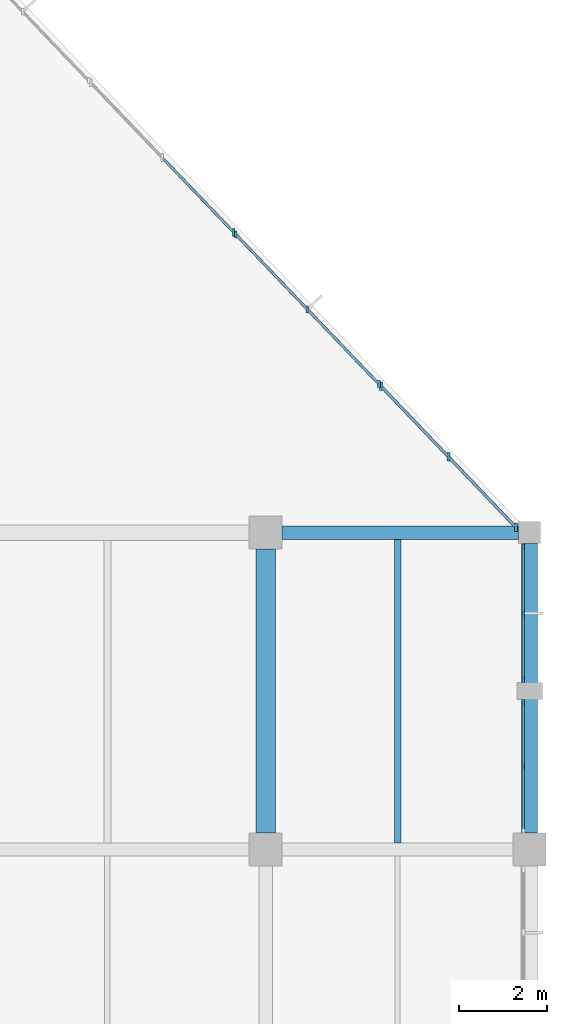
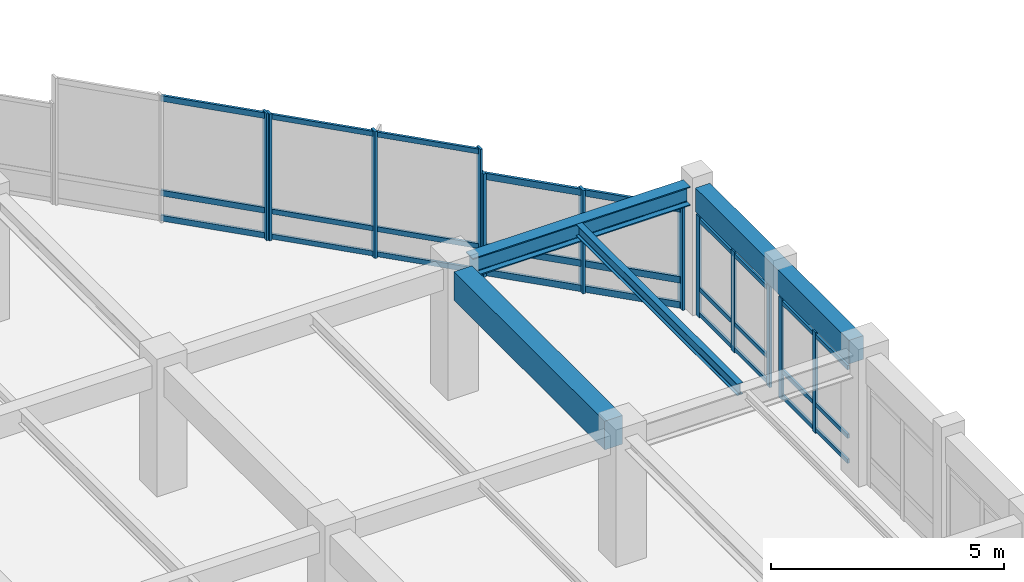
# One storey, part 39 of 74: 39 members, 4 beams, 5 elements without a shape of their own.
"""IFC4 building model written with IfcOpenShell, lengths in metres."""

from ifc_helpers import new_model, si_unit, direction, frame, origin, origin_2d, place, context, subcontext, project, spatial, rectangle, i_section, extrude, material, material_profile, profile_set, type_object, element, aggregate, save


model = new_model("IFC4")

# Units and contexts
model_context = context("Model", 3, precision=1e-05, world=origin(), true_north=direction((0.0, 1.0)))
body_context = subcontext(model_context, "Body", "Model", "MODEL_VIEW")
ifc_project = project(units=[si_unit("LENGTHUNIT", "METRE"), si_unit("AREAUNIT", "SQUARE_METRE"), si_unit("VOLUMEUNIT", "CUBIC_METRE"), si_unit("PLANEANGLEUNIT", "RADIAN"), si_unit("MASSUNIT", "GRAM", prefix="KILO")], contexts=[model_context])

# Site, building, storey
site_placement = place(None, origin())
site = spatial("IfcSite", under=ifc_project, at=site_placement, CompositionType="ELEMENT")
building_placement = place(site_placement, origin())
building = spatial("IfcBuilding", under=site, at=building_placement, Name="Clarverna Civic Hall", CompositionType="ELEMENT")
storey_placement = place(building_placement, frame((0.0, 0.0, 13.199951171875)))
storey = spatial("IfcBuildingStorey", under=building, at=storey_placement, Name="L03", CompositionType="ELEMENT", Elevation=13.199951171875)

# Beams
ifc_material_1 = material(Name="Concrete C35/45", Category="concrete")
ifc_material_profile_1 = material_profile(ifc_material_1, rectangle(XDim=0.449951171875, YDim=0.75, at=origin_2d()), Name="RC 450x750")
ifc_profile_set_1 = profile_set([ifc_material_profile_1], Name="Concrete C35/45")
beam_type_1 = type_object("IfcBeamType", Name="B-RC3", PredefinedType="BEAM", material=ifc_profile_set_1)
beam_1_placement = place(storey_placement, frame((162.0, 95.375, 2.945068359375), z_axis=(0.0, 1.0, 0.0), x_axis=(-1.0, 0.0, 0.0)))
element("IfcBeam", 1, at=beam_1_placement, inside=storey, type_object=beam_type_1, Name="B-RC3-037", PredefinedType="BEAM", context=body_context, shape_type="SweptSolid", body=[
    extrude(rectangle(XDim=0.449951171875, YDim=0.75, at=origin_2d()), origin(), (0.0, 0.0, 1.0), 6.449951171875),
])
ifc_material_profile_2 = material_profile(ifc_material_1, rectangle(XDim=0.360107421875, YDim=0.6201171875, at=origin_2d()), Name="RC 360x620")
ifc_profile_set_2 = profile_set([ifc_material_profile_2], Name="Concrete C35/45")
beam_type_2 = type_object("IfcBeamType", Name="B-SP3", PredefinedType="SPANDREL", material=ifc_profile_set_2)
beam_2_placement = place(storey_placement, frame((168.0, 95.375, 3.010009765625), z_axis=(0.0, 1.0, 0.0), x_axis=(-1.0, 0.0, 0.0)))
element("IfcBeam", 2, at=beam_2_placement, inside=storey, type_object=beam_type_2, Name="B-SP3-130", PredefinedType="SPANDREL", context=body_context, shape_type="SweptSolid", body=[
    extrude(rectangle(XDim=0.360107421875, YDim=0.6201171875, at=origin_2d()), origin(), (0.0, 0.0, 1.0), 6.574951171875),
])
ifc_material_2 = material(Name="Steel S355", Category="steel")
ifc_material_profile_3 = material_profile(ifc_material_2, i_section(OverallWidth=0.300048828125, OverallDepth=0.5, WebThickness=0.014404296875, FlangeThickness=0.028076171875, FilletRadius=0.027099609375, at=origin_2d()), Name="HEB 500")
ifc_profile_set_3 = profile_set([ifc_material_profile_3], Name="Steel S355")
beam_type_3 = type_object("IfcBeamType", Name="B-ST2", PredefinedType="BEAM", material=ifc_profile_set_3)
beam_3_placement = place(storey_placement, frame((162.375, 102.199951171875, 3.070068359375), z_axis=(1.0, 0.0, 0.0), x_axis=(0.0, 1.0, 0.0)))
element("IfcBeam", 3, at=beam_3_placement, inside=storey, type_object=beam_type_3, Name="B-ST2-014", PredefinedType="BEAM", context=body_context, shape_type="SweptSolid", body=[
    extrude(i_section(OverallWidth=0.300048828125, OverallDepth=0.5, WebThickness=0.014404296875, FlangeThickness=0.028076171875, FilletRadius=0.027099609375, at=origin_2d()), origin(), (0.0, 0.0, 1.0), 5.375),
])

# Curtain wall, member
ifc_material_3 = material(Name="Anodised Bronze Architectural Aluminium", Category="aluminium")
curtain_wall_type = type_object("IfcCurtainWallType", Name="CW-01", PredefinedType="USERDEFINED", material=ifc_material_3)
curtain_wall_1_placement = place(storey_placement, origin())
curtain_wall_1 = element("IfcCurtainWall", 4, at=curtain_wall_1_placement, inside=storey, type_object=curtain_wall_type, Name="CW-01-065", ObjectType="UNITISED CURTAIN WALL", PredefinedType="USERDEFINED")
ifc_material_profile_4 = material_profile(ifc_material_3, rectangle(XDim=0.06005859375, YDim=0.179931640625, at=origin_2d()), Name="BRONZE 60x180")
ifc_profile_set_4 = profile_set([ifc_material_profile_4], Name="Anodised Bronze Architectural Aluminium")
member_type_1 = type_object("IfcMemberType", Name="CWM-01", PredefinedType="MULLION", material=ifc_profile_set_4)
member_1_placement = place(storey_placement, frame((161.27587890625, 109.027099609375, 0.0), z_axis=(0.0, 0.0, 1.0), x_axis=(1.0, 0.0, 0.0)))
member_1 = element("IfcMember", 5, at=member_1_placement, type_object=member_type_1, Name="CWM-01-127", PredefinedType="MULLION", context=body_context, shape_type="SweptSolid", body=[
    extrude(rectangle(XDim=0.06005859375, YDim=0.179931640625, at=origin_2d()), origin(), (0.0, 0.0, 1.0), 3.320068359375),
])

# Curtain wall, members
curtain_wall_2_placement = place(storey_placement, origin())
curtain_wall_2 = element("IfcCurtainWall", 6, at=curtain_wall_2_placement, inside=storey, type_object=curtain_wall_type, Name="CW-01-066", ObjectType="UNITISED CURTAIN WALL", PredefinedType="USERDEFINED")
ifc_material_profile_5 = material_profile(ifc_material_3, rectangle(XDim=0.06005859375, YDim=0.159912109375, at=origin_2d()), Name="BRONZE 60x160")
ifc_profile_set_5 = profile_set([ifc_material_profile_5], Name="Anodised Bronze Architectural Aluminium")
member_type_2 = type_object("IfcMemberType", Name="CWM-02", PredefinedType="MULLION", material=ifc_profile_set_5)
member_2_placement = place(storey_placement, frame((161.321533203125, 108.9794921875, 0.0), z_axis=(0.0, 0.0, 1.0), x_axis=(1.0, 0.0, 0.0)))
member_2 = element("IfcMember", 7, at=member_2_placement, type_object=member_type_2, Name="CWM-02-153", PredefinedType="MULLION", context=body_context, shape_type="SweptSolid", body=[
    extrude(rectangle(XDim=0.06005859375, YDim=0.159912109375, at=origin_2d()), origin(), (0.0, 0.0, 1.0), 3.320068359375),
])
member_3_placement = place(storey_placement, frame((162.94873046875, 107.2783203125, 0.0), z_axis=(0.0, 0.0, 1.0), x_axis=(1.0, 0.0, 0.0)))
member_3 = element("IfcMember", 8, at=member_3_placement, type_object=member_type_2, Name="CWM-02-154", PredefinedType="MULLION", context=body_context, shape_type="SweptSolid", body=[
    extrude(rectangle(XDim=0.06005859375, YDim=0.159912109375, at=origin_2d()), origin(), (0.0, 0.0, 1.0), 3.320068359375),
])
member_4_placement = place(storey_placement, frame((164.575927734375, 105.576904296875, 0.0), z_axis=(0.0, 0.0, 1.0), x_axis=(1.0, 0.0, 0.0)))
member_4 = element("IfcMember", 9, at=member_4_placement, type_object=member_type_2, Name="CWM-02-155", PredefinedType="MULLION", context=body_context, shape_type="SweptSolid", body=[
    extrude(rectangle(XDim=0.06005859375, YDim=0.159912109375, at=origin_2d()), origin(), (0.0, 0.0, 1.0), 3.320068359375),
])

curtain_wall_3_placement = place(storey_placement, origin())
curtain_wall_3 = element("IfcCurtainWall", 10, at=curtain_wall_3_placement, inside=storey, type_object=curtain_wall_type, Name="CW-01-067", ObjectType="UNITISED CURTAIN WALL", PredefinedType="USERDEFINED")
ifc_material_profile_6 = material_profile(ifc_material_3, rectangle(XDim=0.06494140625, YDim=0.199951171875, at=origin_2d()), Name="BRONZE 65x200")
ifc_profile_set_6 = profile_set([ifc_material_profile_6], Name="Anodised Bronze Architectural Aluminium")
member_type_3 = type_object("IfcMemberType", Name="CWM-03", PredefinedType="MULLION", material=ifc_profile_set_6)
member_5_placement = place(storey_placement, frame((164.62158203125, 105.529296875, 0.0), z_axis=(0.0, 0.0, 1.0), x_axis=(1.0, 0.0, 0.0)))
member_5 = element("IfcMember", 11, at=member_5_placement, type_object=member_type_3, Name="CWM-03-128", PredefinedType="MULLION", context=body_context, shape_type="SweptSolid", body=[
    extrude(rectangle(XDim=0.06494140625, YDim=0.199951171875, at=origin_2d()), origin(), (0.0, 0.0, 1.0), 2.699951171875),
])
member_6_placement = place(storey_placement, frame((166.154296875, 103.927001953125, 0.0), z_axis=(0.0, 0.0, 1.0), x_axis=(1.0, 0.0, 0.0)))
member_6 = element("IfcMember", 12, at=member_6_placement, type_object=member_type_3, Name="CWM-03-129", PredefinedType="MULLION", context=body_context, shape_type="SweptSolid", body=[
    extrude(rectangle(XDim=0.06494140625, YDim=0.199951171875, at=origin_2d()), origin(), (0.0, 0.0, 1.0), 2.699951171875),
])
member_7_placement = place(storey_placement, frame((167.687255859375, 102.324462890625, 0.0), z_axis=(0.0, 0.0, 1.0), x_axis=(1.0, 0.0, 0.0)))
member_7 = element("IfcMember", 13, at=member_7_placement, type_object=member_type_3, Name="CWM-03-130", PredefinedType="MULLION", context=body_context, shape_type="SweptSolid", body=[
    extrude(rectangle(XDim=0.06494140625, YDim=0.199951171875, at=origin_2d()), origin(), (0.0, 0.0, 1.0), 2.699951171875),
])

curtain_wall_4_placement = place(storey_placement, origin())
curtain_wall_4 = element("IfcCurtainWall", 14, at=curtain_wall_4_placement, inside=storey, type_object=curtain_wall_type, Name="CW-01-068", ObjectType="UNITISED CURTAIN WALL", PredefinedType="USERDEFINED")
ifc_material_profile_7 = material_profile(ifc_material_3, rectangle(XDim=0.054931640625, YDim=0.139892578125, at=origin_2d()), Name="BRONZE 55x140")
ifc_profile_set_7 = profile_set([ifc_material_profile_7], Name="Anodised Bronze Architectural Aluminium")
member_type_4 = type_object("IfcMemberType", Name="CWM-04", PredefinedType="MULLION", material=ifc_profile_set_7)
member_8_placement = place(storey_placement, frame((167.860107421875, 101.876953125, 0.0), z_axis=(0.0, 0.0, 1.0), x_axis=(1.0, 0.0, 0.0)))
member_8 = element("IfcMember", 15, at=member_8_placement, type_object=member_type_4, Name="CWM-04-156", PredefinedType="MULLION", context=body_context, shape_type="SweptSolid", body=[
    extrude(rectangle(XDim=0.054931640625, YDim=0.139892578125, at=origin_2d()), origin(), (0.0, 0.0, 1.0), 2.64013671875),
])
member_9_placement = place(storey_placement, frame((167.860107421875, 100.3701171875, 0.0), z_axis=(0.0, 0.0, 1.0), x_axis=(1.0, 0.0, 0.0)))
member_9 = element("IfcMember", 16, at=member_9_placement, type_object=member_type_4, Name="CWM-04-157", PredefinedType="MULLION", context=body_context, shape_type="SweptSolid", body=[
    extrude(rectangle(XDim=0.054931640625, YDim=0.139892578125, at=origin_2d()), origin(), (0.0, 0.0, 1.0), 2.64013671875),
])
member_10_placement = place(storey_placement, frame((167.860107421875, 98.863037109375, 0.0), z_axis=(0.0, 0.0, 1.0), x_axis=(1.0, 0.0, 0.0)))
member_10 = element("IfcMember", 17, at=member_10_placement, type_object=member_type_4, Name="CWM-04-158", PredefinedType="MULLION", context=body_context, shape_type="SweptSolid", body=[
    extrude(rectangle(XDim=0.054931640625, YDim=0.139892578125, at=origin_2d()), origin(), (0.0, 0.0, 1.0), 2.64013671875),
])

curtain_wall_5_placement = place(storey_placement, origin())
curtain_wall_5 = element("IfcCurtainWall", 18, at=curtain_wall_5_placement, inside=storey, type_object=curtain_wall_type, Name="CW-01-069", ObjectType="UNITISED CURTAIN WALL", PredefinedType="USERDEFINED")
member_11_placement = place(storey_placement, frame((167.860107421875, 98.3369140625, 0.0), z_axis=(0.0, 0.0, 1.0), x_axis=(1.0, 0.0, 0.0)))
member_11 = element("IfcMember", 19, at=member_11_placement, type_object=member_type_4, Name="CWM-04-159", PredefinedType="MULLION", context=body_context, shape_type="SweptSolid", body=[
    extrude(rectangle(XDim=0.054931640625, YDim=0.139892578125, at=origin_2d()), origin(), (0.0, 0.0, 1.0), 2.64013671875),
])
member_12_placement = place(storey_placement, frame((167.860107421875, 96.892578125, 0.0), z_axis=(0.0, 0.0, 1.0), x_axis=(1.0, 0.0, 0.0)))
member_12 = element("IfcMember", 20, at=member_12_placement, type_object=member_type_4, Name="CWM-04-160", PredefinedType="MULLION", context=body_context, shape_type="SweptSolid", body=[
    extrude(rectangle(XDim=0.054931640625, YDim=0.139892578125, at=origin_2d()), origin(), (0.0, 0.0, 1.0), 2.64013671875),
])

# Member
ifc_material_profile_8 = material_profile(ifc_material_3, rectangle(XDim=0.06005859375, YDim=0.14990234375, at=origin_2d()), Name="BRONZE 60x150")
ifc_profile_set_8 = profile_set([ifc_material_profile_8], Name="Anodised Bronze Architectural Aluminium")
member_type_5 = type_object("IfcMemberType", Name="CWT-01", PredefinedType="USERDEFINED", material=ifc_profile_set_8)
member_13_placement = place(storey_placement, frame((159.6591796875, 110.71728515625, 0.094970703125), z_axis=(0.691227416228, -0.72263729426, 0.0), x_axis=(0.72263729426, 0.691227416228, 0.0)))
member_13 = element("IfcMember", 21, at=member_13_placement, type_object=member_type_5, Name="CWT-01-268", ObjectType="TRANSOM", PredefinedType="USERDEFINED", context=body_context, shape_type="SweptSolid", body=[
    extrude(rectangle(XDim=0.06005859375, YDim=0.14990234375, at=origin_2d()), origin(), (0.0, 0.0, 1.0), 2.323974609375),
])

member_14_placement = place(storey_placement, frame((159.6591796875, 110.71728515625, 0.75), z_axis=(0.691227416228, -0.72263729426, 0.0), x_axis=(0.72263729426, 0.691227416228, 0.0)))
member_14 = element("IfcMember", 22, at=member_14_placement, type_object=member_type_5, Name="CWT-01-269", ObjectType="TRANSOM", PredefinedType="USERDEFINED", context=body_context, shape_type="SweptSolid", body=[
    extrude(rectangle(XDim=0.06005859375, YDim=0.14990234375, at=origin_2d()), origin(), (0.0, 0.0, 1.0), 2.323974609375),
])

member_15_placement = place(storey_placement, frame((159.6591796875, 110.71728515625, 3.22509765625), z_axis=(0.691227416228, -0.72263729426, 0.0), x_axis=(0.72263729426, 0.691227416228, 0.0)))
member_15 = element("IfcMember", 23, at=member_15_placement, type_object=member_type_5, Name="CWT-01-270", ObjectType="TRANSOM", PredefinedType="USERDEFINED", context=body_context, shape_type="SweptSolid", body=[
    extrude(rectangle(XDim=0.06005859375, YDim=0.14990234375, at=origin_2d()), origin(), (0.0, 0.0, 1.0), 2.323974609375),
])

aggregate(curtain_wall_1, [member_1, member_13, member_14, member_15])

ifc_material_profile_9 = material_profile(ifc_material_3, rectangle(XDim=0.06005859375, YDim=0.1298828125, at=origin_2d()), Name="BRONZE 60x130")
ifc_profile_set_9 = profile_set([ifc_material_profile_9], Name="Anodised Bronze Architectural Aluminium")
member_type_6 = type_object("IfcMemberType", Name="CWT-02", PredefinedType="USERDEFINED", material=ifc_profile_set_9)
member_16_placement = place(storey_placement, frame((161.33203125, 108.968505859375, 0.094970703125), z_axis=(0.691227416228, -0.72263729426, 0.0), x_axis=(0.72263729426, 0.691227416228, 0.0)))
member_16 = element("IfcMember", 24, at=member_16_placement, type_object=member_type_6, Name="CWT-02-322", ObjectType="TRANSOM", PredefinedType="USERDEFINED", context=body_context, shape_type="SweptSolid", body=[
    extrude(rectangle(XDim=0.06005859375, YDim=0.1298828125, at=origin_2d()), origin(), (0.0, 0.0, 1.0), 2.323974609375),
])

member_17_placement = place(storey_placement, frame((161.33203125, 108.968505859375, 0.75), z_axis=(0.691227416228, -0.72263729426, 0.0), x_axis=(0.72263729426, 0.691227416228, 0.0)))
member_17 = element("IfcMember", 25, at=member_17_placement, type_object=member_type_6, Name="CWT-02-323", ObjectType="TRANSOM", PredefinedType="USERDEFINED", context=body_context, shape_type="SweptSolid", body=[
    extrude(rectangle(XDim=0.06005859375, YDim=0.1298828125, at=origin_2d()), origin(), (0.0, 0.0, 1.0), 2.323974609375),
])

member_18_placement = place(storey_placement, frame((161.33203125, 108.968505859375, 3.22509765625), z_axis=(0.691227416228, -0.72263729426, 0.0), x_axis=(0.72263729426, 0.691227416228, 0.0)))
member_18 = element("IfcMember", 26, at=member_18_placement, type_object=member_type_6, Name="CWT-02-324", ObjectType="TRANSOM", PredefinedType="USERDEFINED", context=body_context, shape_type="SweptSolid", body=[
    extrude(rectangle(XDim=0.06005859375, YDim=0.1298828125, at=origin_2d()), origin(), (0.0, 0.0, 1.0), 2.323974609375),
])

member_19_placement = place(storey_placement, frame((162.959228515625, 107.267333984375, 0.094970703125), z_axis=(0.691227416228, -0.72263729426, 0.0), x_axis=(0.72263729426, 0.691227416228, 0.0)))
member_19 = element("IfcMember", 27, at=member_19_placement, type_object=member_type_6, Name="CWT-02-325", ObjectType="TRANSOM", PredefinedType="USERDEFINED", context=body_context, shape_type="SweptSolid", body=[
    extrude(rectangle(XDim=0.06005859375, YDim=0.1298828125, at=origin_2d()), origin(), (0.0, 0.0, 1.0), 2.323974609375),
])

member_20_placement = place(storey_placement, frame((162.959228515625, 107.267333984375, 0.75), z_axis=(0.691227416228, -0.72263729426, 0.0), x_axis=(0.72263729426, 0.691227416228, 0.0)))
member_20 = element("IfcMember", 28, at=member_20_placement, type_object=member_type_6, Name="CWT-02-326", ObjectType="TRANSOM", PredefinedType="USERDEFINED", context=body_context, shape_type="SweptSolid", body=[
    extrude(rectangle(XDim=0.06005859375, YDim=0.1298828125, at=origin_2d()), origin(), (0.0, 0.0, 1.0), 2.323974609375),
])

member_21_placement = place(storey_placement, frame((162.959228515625, 107.267333984375, 3.22509765625), z_axis=(0.691227416228, -0.72263729426, 0.0), x_axis=(0.72263729426, 0.691227416228, 0.0)))
member_21 = element("IfcMember", 29, at=member_21_placement, type_object=member_type_6, Name="CWT-02-327", ObjectType="TRANSOM", PredefinedType="USERDEFINED", context=body_context, shape_type="SweptSolid", body=[
    extrude(rectangle(XDim=0.06005859375, YDim=0.1298828125, at=origin_2d()), origin(), (0.0, 0.0, 1.0), 2.323974609375),
])

aggregate(curtain_wall_2, [member_2, member_3, member_4, member_16, member_17, member_18, member_19, member_20, member_21])

ifc_material_profile_10 = material_profile(ifc_material_3, rectangle(XDim=0.06494140625, YDim=0.169921875, at=origin_2d()), Name="BRONZE 65x170")
ifc_profile_set_10 = profile_set([ifc_material_profile_10], Name="Anodised Bronze Architectural Aluminium")
member_type_7 = type_object("IfcMemberType", Name="CWT-03", PredefinedType="USERDEFINED", material=ifc_profile_set_10)
member_22_placement = place(storey_placement, frame((164.632080078125, 105.5185546875, 0.094970703125), z_axis=(0.691194770738, -0.722668519381, 0.0), x_axis=(0.722668519381, 0.691194770738, 0.0)))
member_22 = element("IfcMember", 30, at=member_22_placement, type_object=member_type_7, Name="CWT-03-271", ObjectType="TRANSOM", PredefinedType="USERDEFINED", context=body_context, shape_type="SweptSolid", body=[
    extrude(rectangle(XDim=0.06494140625, YDim=0.169921875, at=origin_2d()), origin(), (0.0, 0.0, 1.0), 2.1875),
])

member_23_placement = place(storey_placement, frame((164.632080078125, 105.5185546875, 0.75), z_axis=(0.691194770738, -0.722668519381, 0.0), x_axis=(0.722668519381, 0.691194770738, 0.0)))
member_23 = element("IfcMember", 31, at=member_23_placement, type_object=member_type_7, Name="CWT-03-272", ObjectType="TRANSOM", PredefinedType="USERDEFINED", context=body_context, shape_type="SweptSolid", body=[
    extrude(rectangle(XDim=0.06494140625, YDim=0.169921875, at=origin_2d()), origin(), (0.0, 0.0, 1.0), 2.1875),
])

member_24_placement = place(storey_placement, frame((164.632080078125, 105.5185546875, 2.60498046875), z_axis=(0.691194770738, -0.722668519381, 0.0), x_axis=(0.722668519381, 0.691194770738, 0.0)))
member_24 = element("IfcMember", 32, at=member_24_placement, type_object=member_type_7, Name="CWT-03-273", ObjectType="TRANSOM", PredefinedType="USERDEFINED", context=body_context, shape_type="SweptSolid", body=[
    extrude(rectangle(XDim=0.06494140625, YDim=0.169921875, at=origin_2d()), origin(), (0.0, 0.0, 1.0), 2.1875),
])

member_25_placement = place(storey_placement, frame((166.164794921875, 103.916015625, 0.094970703125), z_axis=(0.691194770738, -0.722668519381, 0.0), x_axis=(0.722668519381, 0.691194770738, 0.0)))
member_25 = element("IfcMember", 33, at=member_25_placement, type_object=member_type_7, Name="CWT-03-274", ObjectType="TRANSOM", PredefinedType="USERDEFINED", context=body_context, shape_type="SweptSolid", body=[
    extrude(rectangle(XDim=0.06494140625, YDim=0.169921875, at=origin_2d()), origin(), (0.0, 0.0, 1.0), 2.1875),
])

member_26_placement = place(storey_placement, frame((166.164794921875, 103.916015625, 0.75), z_axis=(0.691194770738, -0.722668519381, 0.0), x_axis=(0.722668519381, 0.691194770738, 0.0)))
member_26 = element("IfcMember", 34, at=member_26_placement, type_object=member_type_7, Name="CWT-03-275", ObjectType="TRANSOM", PredefinedType="USERDEFINED", context=body_context, shape_type="SweptSolid", body=[
    extrude(rectangle(XDim=0.06494140625, YDim=0.169921875, at=origin_2d()), origin(), (0.0, 0.0, 1.0), 2.1875),
])

member_27_placement = place(storey_placement, frame((166.164794921875, 103.916015625, 2.60498046875), z_axis=(0.691194770738, -0.722668519381, 0.0), x_axis=(0.722668519381, 0.691194770738, 0.0)))
member_27 = element("IfcMember", 35, at=member_27_placement, type_object=member_type_7, Name="CWT-03-276", ObjectType="TRANSOM", PredefinedType="USERDEFINED", context=body_context, shape_type="SweptSolid", body=[
    extrude(rectangle(XDim=0.06494140625, YDim=0.169921875, at=origin_2d()), origin(), (0.0, 0.0, 1.0), 2.1875),
])

aggregate(curtain_wall_3, [member_5, member_6, member_7, member_22, member_23, member_24, member_25, member_26, member_27])

ifc_material_profile_11 = material_profile(ifc_material_3, rectangle(XDim=0.054931640625, YDim=0.110107421875, at=origin_2d()), Name="BRONZE 55x110")
ifc_profile_set_11 = profile_set([ifc_material_profile_11], Name="Anodised Bronze Architectural Aluminium")
member_type_8 = type_object("IfcMemberType", Name="CWT-04", PredefinedType="USERDEFINED", material=ifc_profile_set_11)
member_28_placement = place(storey_placement, frame((167.860107421875, 101.862060546875, 0.094970703125), z_axis=(0.0, -1.0, 0.0), x_axis=(1.0, 0.0, 0.0)))
member_28 = element("IfcMember", 36, at=member_28_placement, type_object=member_type_8, Name="CWT-04-328", ObjectType="TRANSOM", PredefinedType="USERDEFINED", context=body_context, shape_type="SweptSolid", body=[
    extrude(rectangle(XDim=0.054931640625, YDim=0.110107421875, at=origin_2d()), origin(), (0.0, 0.0, 1.0), 1.47705078125),
])

member_29_placement = place(storey_placement, frame((167.860107421875, 101.862060546875, 0.75), z_axis=(0.0, -1.0, 0.0), x_axis=(1.0, 0.0, 0.0)))
member_29 = element("IfcMember", 37, at=member_29_placement, type_object=member_type_8, Name="CWT-04-329", ObjectType="TRANSOM", PredefinedType="USERDEFINED", context=body_context, shape_type="SweptSolid", body=[
    extrude(rectangle(XDim=0.054931640625, YDim=0.110107421875, at=origin_2d()), origin(), (0.0, 0.0, 1.0), 1.47705078125),
])

member_30_placement = place(storey_placement, frame((167.860107421875, 101.862060546875, 2.545166015625), z_axis=(0.0, -1.0, 0.0), x_axis=(1.0, 0.0, 0.0)))
member_30 = element("IfcMember", 38, at=member_30_placement, type_object=member_type_8, Name="CWT-04-330", ObjectType="TRANSOM", PredefinedType="USERDEFINED", context=body_context, shape_type="SweptSolid", body=[
    extrude(rectangle(XDim=0.054931640625, YDim=0.110107421875, at=origin_2d()), origin(), (0.0, 0.0, 1.0), 1.47705078125),
])

member_31_placement = place(storey_placement, frame((167.860107421875, 100.35498046875, 0.094970703125), z_axis=(0.0, -1.0, 0.0), x_axis=(1.0, 0.0, 0.0)))
member_31 = element("IfcMember", 39, at=member_31_placement, type_object=member_type_8, Name="CWT-04-331", ObjectType="TRANSOM", PredefinedType="USERDEFINED", context=body_context, shape_type="SweptSolid", body=[
    extrude(rectangle(XDim=0.054931640625, YDim=0.110107421875, at=origin_2d()), origin(), (0.0, 0.0, 1.0), 1.47705078125),
])

member_32_placement = place(storey_placement, frame((167.860107421875, 100.35498046875, 0.75), z_axis=(0.0, -1.0, 0.0), x_axis=(1.0, 0.0, 0.0)))
member_32 = element("IfcMember", 40, at=member_32_placement, type_object=member_type_8, Name="CWT-04-332", ObjectType="TRANSOM", PredefinedType="USERDEFINED", context=body_context, shape_type="SweptSolid", body=[
    extrude(rectangle(XDim=0.054931640625, YDim=0.110107421875, at=origin_2d()), origin(), (0.0, 0.0, 1.0), 1.47705078125),
])

member_33_placement = place(storey_placement, frame((167.860107421875, 100.35498046875, 2.545166015625), z_axis=(0.0, -1.0, 0.0), x_axis=(1.0, 0.0, 0.0)))
member_33 = element("IfcMember", 41, at=member_33_placement, type_object=member_type_8, Name="CWT-04-333", ObjectType="TRANSOM", PredefinedType="USERDEFINED", context=body_context, shape_type="SweptSolid", body=[
    extrude(rectangle(XDim=0.054931640625, YDim=0.110107421875, at=origin_2d()), origin(), (0.0, 0.0, 1.0), 1.47705078125),
])

aggregate(curtain_wall_4, [member_8, member_9, member_10, member_28, member_29, member_30, member_31, member_32, member_33])

member_34_placement = place(storey_placement, frame((167.860107421875, 98.322021484375, 0.094970703125), z_axis=(0.0, -1.0, 0.0), x_axis=(1.0, 0.0, 0.0)))
member_34 = element("IfcMember", 42, at=member_34_placement, type_object=member_type_8, Name="CWT-04-334", ObjectType="TRANSOM", PredefinedType="USERDEFINED", context=body_context, shape_type="SweptSolid", body=[
    extrude(rectangle(XDim=0.054931640625, YDim=0.110107421875, at=origin_2d()), origin(), (0.0, 0.0, 1.0), 1.41455078125),
])

member_35_placement = place(storey_placement, frame((167.860107421875, 98.322021484375, 0.75), z_axis=(0.0, -1.0, 0.0), x_axis=(1.0, 0.0, 0.0)))
member_35 = element("IfcMember", 43, at=member_35_placement, type_object=member_type_8, Name="CWT-04-335", ObjectType="TRANSOM", PredefinedType="USERDEFINED", context=body_context, shape_type="SweptSolid", body=[
    extrude(rectangle(XDim=0.054931640625, YDim=0.110107421875, at=origin_2d()), origin(), (0.0, 0.0, 1.0), 1.41455078125),
])

member_36_placement = place(storey_placement, frame((167.860107421875, 98.322021484375, 2.545166015625), z_axis=(0.0, -1.0, 0.0), x_axis=(1.0, 0.0, 0.0)))
member_36 = element("IfcMember", 44, at=member_36_placement, type_object=member_type_8, Name="CWT-04-336", ObjectType="TRANSOM", PredefinedType="USERDEFINED", context=body_context, shape_type="SweptSolid", body=[
    extrude(rectangle(XDim=0.054931640625, YDim=0.110107421875, at=origin_2d()), origin(), (0.0, 0.0, 1.0), 1.41455078125),
])

member_37_placement = place(storey_placement, frame((167.860107421875, 96.87744140625, 0.094970703125), z_axis=(0.0, -1.0, 0.0), x_axis=(1.0, 0.0, 0.0)))
member_37 = element("IfcMember", 45, at=member_37_placement, type_object=member_type_8, Name="CWT-04-337", ObjectType="TRANSOM", PredefinedType="USERDEFINED", context=body_context, shape_type="SweptSolid", body=[
    extrude(rectangle(XDim=0.054931640625, YDim=0.110107421875, at=origin_2d()), origin(), (0.0, 0.0, 1.0), 1.41455078125),
])

member_38_placement = place(storey_placement, frame((167.860107421875, 96.87744140625, 0.75), z_axis=(0.0, -1.0, 0.0), x_axis=(1.0, 0.0, 0.0)))
member_38 = element("IfcMember", 46, at=member_38_placement, type_object=member_type_8, Name="CWT-04-338", ObjectType="TRANSOM", PredefinedType="USERDEFINED", context=body_context, shape_type="SweptSolid", body=[
    extrude(rectangle(XDim=0.054931640625, YDim=0.110107421875, at=origin_2d()), origin(), (0.0, 0.0, 1.0), 1.41455078125),
])

member_39_placement = place(storey_placement, frame((167.860107421875, 96.87744140625, 2.545166015625), z_axis=(0.0, -1.0, 0.0), x_axis=(1.0, 0.0, 0.0)))
member_39 = element("IfcMember", 47, at=member_39_placement, type_object=member_type_8, Name="CWT-04-339", ObjectType="TRANSOM", PredefinedType="USERDEFINED", context=body_context, shape_type="SweptSolid", body=[
    extrude(rectangle(XDim=0.054931640625, YDim=0.110107421875, at=origin_2d()), origin(), (0.0, 0.0, 1.0), 1.41455078125),
])

aggregate(curtain_wall_5, [member_11, member_12, member_34, member_35, member_36, member_37, member_38, member_39])

# Beam
ifc_material_profile_12 = material_profile(ifc_material_2, i_section(OverallWidth=0.14990234375, OverallDepth=0.300048828125, WebThickness=0.007080078125, FlangeThickness=0.0107421875, FilletRadius=0.014892578125, at=origin_2d()), Name="IPE 300")
ifc_profile_set_12 = profile_set([ifc_material_profile_12], Name="Steel S355")
beam_type_4 = type_object("IfcBeamType", Name="J-ST3", PredefinedType="JOIST", material=ifc_profile_set_12)
beam_4_placement = place(storey_placement, frame((165.0, 95.14990234375, 3.170166015625), z_axis=(0.0, 1.0, 0.0), x_axis=(-1.0, 0.0, 0.0)))
element("IfcBeam", 48, at=beam_4_placement, inside=storey, type_object=beam_type_4, Name="J-ST3-065", PredefinedType="JOIST", context=body_context, shape_type="SweptSolid", body=[
    extrude(i_section(OverallWidth=0.14990234375, OverallDepth=0.300048828125, WebThickness=0.007080078125, FlangeThickness=0.0107421875, FilletRadius=0.014892578125, at=origin_2d()), origin(), (0.0, 0.0, 1.0), 6.900146484375),
])

save(model, "model.ifc")
